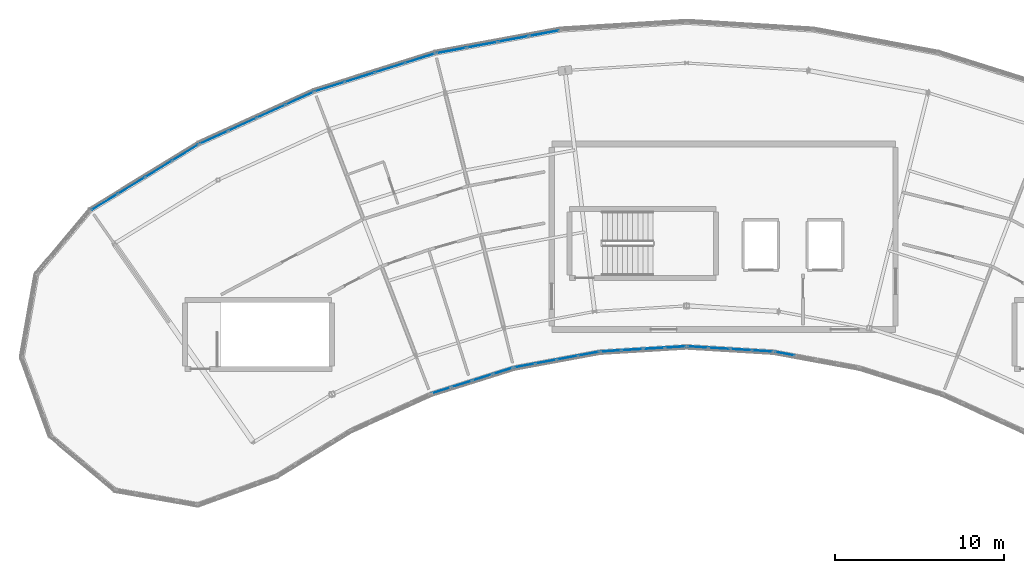
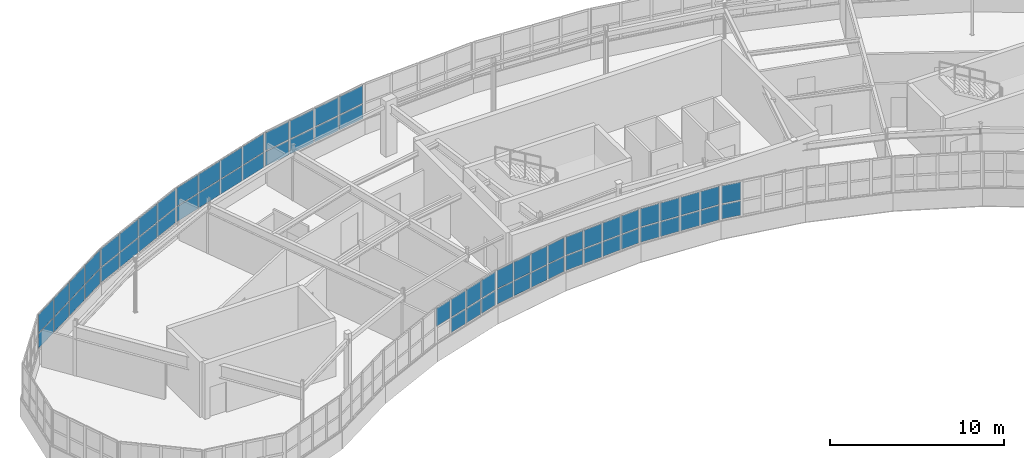
# One storey, part 42 of 60: 65 plates, 9 elements without a shape of their own.
"""IFC4 building model written with IfcOpenShell, lengths in metres."""

from ifc_helpers import new_model, si_unit, direction, frame, origin, origin_2d, place, context, subcontext, project, spatial, rectangle, extrude, material, layer, layer_set, type_object, element, aggregate, save


model = new_model("IFC4")

# Units and contexts
model_context = context("Model", 3, precision=1e-05, world=origin(), true_north=direction((0.0, 1.0)))
body_context = subcontext(model_context, "Body", "Model", "MODEL_VIEW")
ifc_project = project(units=[si_unit("LENGTHUNIT", "METRE"), si_unit("AREAUNIT", "SQUARE_METRE"), si_unit("VOLUMEUNIT", "CUBIC_METRE"), si_unit("PLANEANGLEUNIT", "RADIAN"), si_unit("MASSUNIT", "GRAM", prefix="KILO")], contexts=[model_context])

# Site, building, storey
site_placement = place(None, origin())
site = spatial("IfcSite", under=ifc_project, at=site_placement, CompositionType="ELEMENT")
building_placement = place(site_placement, origin())
building = spatial("IfcBuilding", under=site, at=building_placement, Name="Tarnwether General Hospital", CompositionType="ELEMENT")
storey_placement = place(building_placement, frame((0.0, 0.0, 26.10009765625)))
storey = spatial("IfcBuildingStorey", under=building, at=storey_placement, Name="L06", CompositionType="ELEMENT", Elevation=26.10009765625)

# Curtain wall, plates
ifc_material_1 = material(Name="Anodised aluminium", Category="aluminium")
ifc_layer_1 = layer(ifc_material_1, 0.159912109375)
ifc_layer_set_1 = layer_set([ifc_layer_1], Name="Anodised aluminium")
curtain_wall_type_1 = type_object("IfcCurtainWallType", Name="CW-04", PredefinedType="NOTDEFINED", material=ifc_layer_set_1)
curtain_wall_1_placement = place(storey_placement, origin())
curtain_wall_1 = element("IfcCurtainWall", 1, at=curtain_wall_1_placement, inside=storey, type_object=curtain_wall_type_1, Name="Curtain Wall CWG-L06-817_1041-0104", PredefinedType="NOTDEFINED")
ifc_material_2 = material(Name="Double glazed low-E glass", Category="glass")
ifc_layer_2 = layer(ifc_material_2, 0.028076171875)
ifc_layer_set_2 = layer_set([ifc_layer_2], Name="Double glazed low-E glass")
plate_type_1 = type_object("IfcPlateType", Name="PT-CWP1", PredefinedType="CURTAIN_PANEL", material=ifc_layer_set_2)
plate_1_placement = place(storey_placement, frame((81.106689453125, 103.9404296875, 1.1298828125), z_axis=(0.0, 0.0, 1.0), x_axis=(-0.953713927508, -0.30071538783, 0.0)))
plate_1 = element("IfcPlate", 2, at=plate_1_placement, type_object=plate_type_1, Name="CW-04 panel 1.1", PredefinedType="CURTAIN_PANEL", context=body_context, shape_type="SweptSolid", body=[
    extrude(rectangle(XDim=1.17431640625, YDim=0.028076171875, at=origin_2d()), origin(), (0.0, 0.0, 1.0), 1.002685546875),
])
plate_2_placement = place(storey_placement, frame((81.106689453125, 103.9404296875, 2.212890625), z_axis=(0.0, 0.0, 1.0), x_axis=(-0.953713927508, -0.30071538783, 0.0)))
plate_2 = element("IfcPlate", 3, at=plate_2_placement, type_object=plate_type_1, Name="CW-04 panel 1.2", PredefinedType="CURTAIN_PANEL", context=body_context, shape_type="SweptSolid", body=[
    extrude(rectangle(XDim=1.17431640625, YDim=0.028076171875, at=origin_2d()), origin(), (0.0, 0.0, 1.0), 1.252197265625),
])
plate_3_placement = place(storey_placement, frame((79.891357421875, 103.55712890625, 1.1298828125), z_axis=(0.0, 0.0, 1.0), x_axis=(-0.953713927508, -0.30071538783, 0.0)))
plate_3 = element("IfcPlate", 4, at=plate_3_placement, type_object=plate_type_1, Name="CW-04 panel 2.1", PredefinedType="CURTAIN_PANEL", context=body_context, shape_type="SweptSolid", body=[
    extrude(rectangle(XDim=1.21435546875, YDim=0.028076171875, at=origin_2d()), origin(), (0.0, 0.0, 1.0), 1.002685546875),
])
plate_4_placement = place(storey_placement, frame((79.891357421875, 103.55712890625, 2.212890625), z_axis=(0.0, 0.0, 1.0), x_axis=(-0.953713927508, -0.30071538783, 0.0)))
plate_4 = element("IfcPlate", 5, at=plate_4_placement, type_object=plate_type_1, Name="CW-04 panel 2.2", PredefinedType="CURTAIN_PANEL", context=body_context, shape_type="SweptSolid", body=[
    extrude(rectangle(XDim=1.21435546875, YDim=0.028076171875, at=origin_2d()), origin(), (0.0, 0.0, 1.0), 1.252197265625),
])
plate_5_placement = place(storey_placement, frame((78.65673828125, 103.16796875, 1.1298828125), z_axis=(0.0, 0.0, 1.0), x_axis=(-0.953713927508, -0.30071538783, 0.0)))
plate_5 = element("IfcPlate", 6, at=plate_5_placement, type_object=plate_type_1, Name="CW-04 panel 3.1", PredefinedType="CURTAIN_PANEL", context=body_context, shape_type="SweptSolid", body=[
    extrude(rectangle(XDim=1.21435546875, YDim=0.028076171875, at=origin_2d()), origin(), (0.0, 0.0, 1.0), 1.002685546875),
])
plate_6_placement = place(storey_placement, frame((78.65673828125, 103.16796875, 2.212890625), z_axis=(0.0, 0.0, 1.0), x_axis=(-0.953713927508, -0.30071538783, 0.0)))
plate_6 = element("IfcPlate", 7, at=plate_6_placement, type_object=plate_type_1, Name="CW-04 panel 3.2", PredefinedType="CURTAIN_PANEL", context=body_context, shape_type="SweptSolid", body=[
    extrude(rectangle(XDim=1.21435546875, YDim=0.028076171875, at=origin_2d()), origin(), (0.0, 0.0, 1.0), 1.252197265625),
])
plate_7_placement = place(storey_placement, frame((77.44140625, 102.78466796875, 2.212890625), z_axis=(0.0, 0.0, 1.0), x_axis=(-0.953713927508, -0.30071538783, 0.0)))
plate_7 = element("IfcPlate", 8, at=plate_7_placement, type_object=plate_type_1, Name="CW-04 panel 4.2", PredefinedType="CURTAIN_PANEL", context=body_context, shape_type="SweptSolid", body=[
    extrude(rectangle(XDim=1.17431640625, YDim=0.028076171875, at=origin_2d()), origin(), (0.0, 0.0, 1.0), 1.252197265625),
])
aggregate(curtain_wall_1, [plate_1, plate_2, plate_3, plate_4, plate_5, plate_6, plate_7])

curtain_wall_2_placement = place(storey_placement, origin())
curtain_wall_2 = element("IfcCurtainWall", 9, at=curtain_wall_2_placement, inside=storey, type_object=curtain_wall_type_1, Name="Curtain Wall CWG-L06-868_1051-0105", PredefinedType="NOTDEFINED")
plate_8_placement = place(storey_placement, frame((86.181884765625, 104.96337890625, 1.10986328125), z_axis=(0.0, 0.0, 1.0), x_axis=(-0.983267910924, -0.182165351666, 0.0)))
plate_8 = element("IfcPlate", 10, at=plate_8_placement, type_object=plate_type_1, Name="CW-04 panel 1.1", PredefinedType="CURTAIN_PANEL", context=body_context, shape_type="SweptSolid", body=[
    extrude(rectangle(XDim=1.2041015625, YDim=0.028076171875, at=origin_2d()), origin(), (0.0, 0.0, 1.0), 1.03271484375),
])
plate_9_placement = place(storey_placement, frame((86.181884765625, 104.96337890625, 2.20263671875), z_axis=(0.0, 0.0, 1.0), x_axis=(-0.983267910924, -0.182165351666, 0.0)))
plate_9 = element("IfcPlate", 11, at=plate_9_placement, type_object=plate_type_1, Name="CW-04 panel 1.2", PredefinedType="CURTAIN_PANEL", context=body_context, shape_type="SweptSolid", body=[
    extrude(rectangle(XDim=1.2041015625, YDim=0.028076171875, at=origin_2d()), origin(), (0.0, 0.0, 1.0), 1.2822265625),
])
plate_10_placement = place(storey_placement, frame((84.92431640625, 104.73046875, 1.10986328125), z_axis=(0.0, 0.0, 1.0), x_axis=(-0.983267910924, -0.182165351666, 0.0)))
plate_10 = element("IfcPlate", 12, at=plate_10_placement, type_object=plate_type_1, Name="CW-04 panel 2.1", PredefinedType="CURTAIN_PANEL", context=body_context, shape_type="SweptSolid", body=[
    extrude(rectangle(XDim=1.234130859375, YDim=0.028076171875, at=origin_2d()), origin(), (0.0, 0.0, 1.0), 1.03271484375),
])
plate_11_placement = place(storey_placement, frame((84.92431640625, 104.73046875, 2.20263671875), z_axis=(0.0, 0.0, 1.0), x_axis=(-0.983267910924, -0.182165351666, 0.0)))
plate_11 = element("IfcPlate", 13, at=plate_11_placement, type_object=plate_type_1, Name="CW-04 panel 2.2", PredefinedType="CURTAIN_PANEL", context=body_context, shape_type="SweptSolid", body=[
    extrude(rectangle(XDim=1.234130859375, YDim=0.028076171875, at=origin_2d()), origin(), (0.0, 0.0, 1.0), 1.2822265625),
])
plate_12_placement = place(storey_placement, frame((83.65185546875, 104.49462890625, 1.10986328125), z_axis=(0.0, 0.0, 1.0), x_axis=(-0.983267910924, -0.182165351666, 0.0)))
plate_12 = element("IfcPlate", 14, at=plate_12_placement, type_object=plate_type_1, Name="CW-04 panel 3.1", PredefinedType="CURTAIN_PANEL", context=body_context, shape_type="SweptSolid", body=[
    extrude(rectangle(XDim=1.234130859375, YDim=0.028076171875, at=origin_2d()), origin(), (0.0, 0.0, 1.0), 1.03271484375),
])
plate_13_placement = place(storey_placement, frame((83.65185546875, 104.49462890625, 2.20263671875), z_axis=(0.0, 0.0, 1.0), x_axis=(-0.983267910924, -0.182165351666, 0.0)))
plate_13 = element("IfcPlate", 15, at=plate_13_placement, type_object=plate_type_1, Name="CW-04 panel 3.2", PredefinedType="CURTAIN_PANEL", context=body_context, shape_type="SweptSolid", body=[
    extrude(rectangle(XDim=1.234130859375, YDim=0.028076171875, at=origin_2d()), origin(), (0.0, 0.0, 1.0), 1.2822265625),
])
plate_14_placement = place(storey_placement, frame((82.39404296875, 104.26171875, 1.10986328125), z_axis=(0.0, 0.0, 1.0), x_axis=(-0.983267910924, -0.182165351666, 0.0)))
plate_14 = element("IfcPlate", 16, at=plate_14_placement, type_object=plate_type_1, Name="CW-04 panel 4.1", PredefinedType="CURTAIN_PANEL", context=body_context, shape_type="SweptSolid", body=[
    extrude(rectangle(XDim=1.2041015625, YDim=0.028076171875, at=origin_2d()), origin(), (0.0, 0.0, 1.0), 1.03271484375),
])
plate_15_placement = place(storey_placement, frame((82.39404296875, 104.26171875, 2.20263671875), z_axis=(0.0, 0.0, 1.0), x_axis=(-0.983267910924, -0.182165351666, 0.0)))
plate_15 = element("IfcPlate", 17, at=plate_15_placement, type_object=plate_type_1, Name="CW-04 panel 4.2", PredefinedType="CURTAIN_PANEL", context=body_context, shape_type="SweptSolid", body=[
    extrude(rectangle(XDim=1.2041015625, YDim=0.028076171875, at=origin_2d()), origin(), (0.0, 0.0, 1.0), 1.2822265625),
])
aggregate(curtain_wall_2, [plate_8, plate_9, plate_10, plate_11, plate_12, plate_13, plate_14, plate_15])

curtain_wall_3_placement = place(storey_placement, origin())
curtain_wall_3 = element("IfcCurtainWall", 18, at=curtain_wall_3_placement, inside=storey, type_object=curtain_wall_type_1, Name="Curtain Wall CWG-L06-972_1051-0107", PredefinedType="NOTDEFINED")
plate_16_placement = place(storey_placement, frame((96.5048828125, 105.12451171875, 1.11474609375), z_axis=(0.0, 0.0, 1.0), x_axis=(-0.998135119267, 0.06104329354, 0.0)))
plate_16 = element("IfcPlate", 19, at=plate_16_placement, type_object=plate_type_1, Name="CW-04 panel 1.1", PredefinedType="CURTAIN_PANEL", context=body_context, shape_type="SweptSolid", body=[
    extrude(rectangle(XDim=1.19677734375, YDim=0.028076171875, at=origin_2d()), origin(), (0.0, 0.0, 1.0), 1.025390625),
])
plate_17_placement = place(storey_placement, frame((96.5048828125, 105.12451171875, 2.205078125), z_axis=(0.0, 0.0, 1.0), x_axis=(-0.998135119267, 0.06104329354, 0.0)))
plate_17 = element("IfcPlate", 20, at=plate_17_placement, type_object=plate_type_1, Name="CW-04 panel 1.2", PredefinedType="CURTAIN_PANEL", context=body_context, shape_type="SweptSolid", body=[
    extrude(rectangle(XDim=1.19677734375, YDim=0.028076171875, at=origin_2d()), origin(), (0.0, 0.0, 1.0), 1.274658203125),
])
plate_18_placement = place(storey_placement, frame((95.2294921875, 105.202392578125, 1.11474609375), z_axis=(0.0, 0.0, 1.0), x_axis=(-0.998135119267, 0.06104329354, 0.0)))
plate_18 = element("IfcPlate", 21, at=plate_18_placement, type_object=plate_type_1, Name="CW-04 panel 2.1", PredefinedType="CURTAIN_PANEL", context=body_context, shape_type="SweptSolid", body=[
    extrude(rectangle(XDim=1.229248046875, YDim=0.028076171875, at=origin_2d()), origin(), (0.0, 0.0, 1.0), 1.025390625),
])
plate_19_placement = place(storey_placement, frame((95.2294921875, 105.202392578125, 2.205078125), z_axis=(0.0, 0.0, 1.0), x_axis=(-0.998135119267, 0.06104329354, 0.0)))
plate_19 = element("IfcPlate", 22, at=plate_19_placement, type_object=plate_type_1, Name="CW-04 panel 2.2", PredefinedType="CURTAIN_PANEL", context=body_context, shape_type="SweptSolid", body=[
    extrude(rectangle(XDim=1.229248046875, YDim=0.028076171875, at=origin_2d()), origin(), (0.0, 0.0, 1.0), 1.274658203125),
])
plate_20_placement = place(storey_placement, frame((93.937744140625, 105.281494140625, 1.11474609375), z_axis=(0.0, 0.0, 1.0), x_axis=(-0.998135119267, 0.06104329354, 0.0)))
plate_20 = element("IfcPlate", 23, at=plate_20_placement, type_object=plate_type_1, Name="CW-04 panel 3.1", PredefinedType="CURTAIN_PANEL", context=body_context, shape_type="SweptSolid", body=[
    extrude(rectangle(XDim=1.229248046875, YDim=0.028076171875, at=origin_2d()), origin(), (0.0, 0.0, 1.0), 1.025390625),
])
plate_21_placement = place(storey_placement, frame((93.937744140625, 105.281494140625, 2.205078125), z_axis=(0.0, 0.0, 1.0), x_axis=(-0.998135119267, 0.06104329354, 0.0)))
plate_21 = element("IfcPlate", 24, at=plate_21_placement, type_object=plate_type_1, Name="CW-04 panel 3.2", PredefinedType="CURTAIN_PANEL", context=body_context, shape_type="SweptSolid", body=[
    extrude(rectangle(XDim=1.229248046875, YDim=0.028076171875, at=origin_2d()), origin(), (0.0, 0.0, 1.0), 1.274658203125),
])
plate_22_placement = place(storey_placement, frame((92.662109375, 105.359619140625, 1.11474609375), z_axis=(0.0, 0.0, 1.0), x_axis=(-0.998135119267, 0.06104329354, 0.0)))
plate_22 = element("IfcPlate", 25, at=plate_22_placement, type_object=plate_type_1, Name="CW-04 panel 4.1", PredefinedType="CURTAIN_PANEL", context=body_context, shape_type="SweptSolid", body=[
    extrude(rectangle(XDim=1.19677734375, YDim=0.028076171875, at=origin_2d()), origin(), (0.0, 0.0, 1.0), 1.025390625),
])
plate_23_placement = place(storey_placement, frame((92.662109375, 105.359619140625, 2.205078125), z_axis=(0.0, 0.0, 1.0), x_axis=(-0.998135119267, 0.06104329354, 0.0)))
plate_23 = element("IfcPlate", 26, at=plate_23_placement, type_object=plate_type_1, Name="CW-04 panel 4.2", PredefinedType="CURTAIN_PANEL", context=body_context, shape_type="SweptSolid", body=[
    extrude(rectangle(XDim=1.19677734375, YDim=0.028076171875, at=origin_2d()), origin(), (0.0, 0.0, 1.0), 1.274658203125),
])
aggregate(curtain_wall_3, [plate_16, plate_17, plate_18, plate_19, plate_20, plate_21, plate_22, plate_23])

curtain_wall_4_placement = place(storey_placement, origin())
curtain_wall_4 = element("IfcCurtainWall", 27, at=curtain_wall_4_placement, inside=storey, type_object=curtain_wall_type_1, Name="Curtain Wall CWG-L06-1023_1041-0108", PredefinedType="NOTDEFINED")
plate_24_placement = place(storey_placement, frame((97.822998046875, 104.96240234375, 1.1298828125), z_axis=(0.0, 0.0, 1.0), x_axis=(-0.983267910924, 0.182165351666, 0.0)))
plate_24 = element("IfcPlate", 28, at=plate_24_placement, type_object=plate_type_1, Name="CW-04 panel 4.1", PredefinedType="CURTAIN_PANEL", context=body_context, shape_type="SweptSolid", body=[
    extrude(rectangle(XDim=1.174072265625, YDim=0.028076171875, at=origin_2d()), origin(), (0.0, 0.0, 1.0), 1.002685546875),
])
plate_25_placement = place(storey_placement, frame((97.822998046875, 104.96240234375, 2.212890625), z_axis=(0.0, 0.0, 1.0), x_axis=(-0.983267910924, 0.182165351666, 0.0)))
plate_25 = element("IfcPlate", 29, at=plate_25_placement, type_object=plate_type_1, Name="CW-04 panel 4.2", PredefinedType="CURTAIN_PANEL", context=body_context, shape_type="SweptSolid", body=[
    extrude(rectangle(XDim=1.174072265625, YDim=0.028076171875, at=origin_2d()), origin(), (0.0, 0.0, 1.0), 1.252197265625),
])
aggregate(curtain_wall_4, [plate_24, plate_25])

ifc_material_3 = material(Name="Anodised aluminium", Category="aluminium")
ifc_layer_3 = layer(ifc_material_3, 0.179931640625)
ifc_layer_set_3 = layer_set([ifc_layer_3], Name="Anodised aluminium")
curtain_wall_type_2 = type_object("IfcCurtainWallType", Name="CW-06", PredefinedType="NOTDEFINED", material=ifc_layer_set_3)
curtain_wall_5_placement = place(storey_placement, origin())
curtain_wall_5 = element("IfcCurtainWall", 30, at=curtain_wall_5_placement, inside=storey, type_object=curtain_wall_type_2, Name="Curtain Wall CWG-L06-699_1205-0125", PredefinedType="NOTDEFINED")
plate_26_placement = place(storey_placement, frame((70.8359375, 120.796142578125, 1.10986328125), z_axis=(0.0, 0.0, 1.0), x_axis=(0.953741284032, 0.300628613299, 0.0)))
plate_26 = element("IfcPlate", 31, at=plate_26_placement, type_object=plate_type_1, Name="CW-06 panel 1.1", PredefinedType="CURTAIN_PANEL", context=body_context, shape_type="SweptSolid", body=[
    extrude(rectangle(XDim=1.790283203125, YDim=0.028076171875, at=origin_2d()), origin(), (0.0, 0.0, 1.0), 1.03271484375),
])
plate_27_placement = place(storey_placement, frame((70.8359375, 120.796142578125, 2.20263671875), z_axis=(0.0, 0.0, 1.0), x_axis=(0.953741284032, 0.300628613299, 0.0)))
plate_27 = element("IfcPlate", 32, at=plate_27_placement, type_object=plate_type_1, Name="CW-06 panel 1.2", PredefinedType="CURTAIN_PANEL", context=body_context, shape_type="SweptSolid", body=[
    extrude(rectangle(XDim=1.790283203125, YDim=0.028076171875, at=origin_2d()), origin(), (0.0, 0.0, 1.0), 1.2822265625),
])
plate_28_placement = place(storey_placement, frame((72.614990234375, 121.35693359375, 1.10986328125), z_axis=(0.0, 0.0, 1.0), x_axis=(0.953741284032, 0.300628613299, 0.0)))
plate_28 = element("IfcPlate", 33, at=plate_28_placement, type_object=plate_type_1, Name="CW-06 panel 2.1", PredefinedType="CURTAIN_PANEL", context=body_context, shape_type="SweptSolid", body=[
    extrude(rectangle(XDim=1.8203125, YDim=0.028076171875, at=origin_2d()), origin(), (0.0, 0.0, 1.0), 1.03271484375),
])
plate_29_placement = place(storey_placement, frame((72.614990234375, 121.35693359375, 2.20263671875), z_axis=(0.0, 0.0, 1.0), x_axis=(0.953741284032, 0.300628613299, 0.0)))
plate_29 = element("IfcPlate", 34, at=plate_29_placement, type_object=plate_type_1, Name="CW-06 panel 2.2", PredefinedType="CURTAIN_PANEL", context=body_context, shape_type="SweptSolid", body=[
    extrude(rectangle(XDim=1.8203125, YDim=0.028076171875, at=origin_2d()), origin(), (0.0, 0.0, 1.0), 1.2822265625),
])
plate_30_placement = place(storey_placement, frame((74.408203125, 121.922119140625, 1.10986328125), z_axis=(0.0, 0.0, 1.0), x_axis=(0.953741284032, 0.300628613299, 0.0)))
plate_30 = element("IfcPlate", 35, at=plate_30_placement, type_object=plate_type_1, Name="CW-06 panel 3.1", PredefinedType="CURTAIN_PANEL", context=body_context, shape_type="SweptSolid", body=[
    extrude(rectangle(XDim=1.8203125, YDim=0.028076171875, at=origin_2d()), origin(), (0.0, 0.0, 1.0), 1.03271484375),
])
plate_31_placement = place(storey_placement, frame((74.408203125, 121.922119140625, 2.20263671875), z_axis=(0.0, 0.0, 1.0), x_axis=(0.953741284032, 0.300628613299, 0.0)))
plate_31 = element("IfcPlate", 36, at=plate_31_placement, type_object=plate_type_1, Name="CW-06 panel 3.2", PredefinedType="CURTAIN_PANEL", context=body_context, shape_type="SweptSolid", body=[
    extrude(rectangle(XDim=1.8203125, YDim=0.028076171875, at=origin_2d()), origin(), (0.0, 0.0, 1.0), 1.2822265625),
])
plate_32_placement = place(storey_placement, frame((76.18701171875, 122.48291015625, 1.10986328125), z_axis=(0.0, 0.0, 1.0), x_axis=(0.953741284032, 0.300628613299, 0.0)))
plate_32 = element("IfcPlate", 37, at=plate_32_placement, type_object=plate_type_1, Name="CW-06 panel 4.1", PredefinedType="CURTAIN_PANEL", context=body_context, shape_type="SweptSolid", body=[
    extrude(rectangle(XDim=1.790283203125, YDim=0.028076171875, at=origin_2d()), origin(), (0.0, 0.0, 1.0), 1.03271484375),
])
plate_33_placement = place(storey_placement, frame((76.18701171875, 122.48291015625, 2.20263671875), z_axis=(0.0, 0.0, 1.0), x_axis=(0.953741284032, 0.300628613299, 0.0)))
plate_33 = element("IfcPlate", 38, at=plate_33_placement, type_object=plate_type_1, Name="CW-06 panel 4.2", PredefinedType="CURTAIN_PANEL", context=body_context, shape_type="SweptSolid", body=[
    extrude(rectangle(XDim=1.790283203125, YDim=0.028076171875, at=origin_2d()), origin(), (0.0, 0.0, 1.0), 1.2822265625),
])
aggregate(curtain_wall_5, [plate_26, plate_27, plate_28, plate_29, plate_30, plate_31, plate_32, plate_33])

curtain_wall_6_placement = place(storey_placement, origin())
curtain_wall_6 = element("IfcCurtainWall", 39, at=curtain_wall_6_placement, inside=storey, type_object=curtain_wall_type_2, Name="Curtain Wall CWG-L06-631_1174-0126", PredefinedType="NOTDEFINED")
plate_34_placement = place(storey_placement, frame((63.952392578125, 117.787109375, 1.1201171875), z_axis=(0.0, 0.0, 1.0), x_axis=(0.909960793886, 0.414694289316, 0.0)))
plate_34 = element("IfcPlate", 40, at=plate_34_placement, type_object=plate_type_1, Name="CW-06 panel 1.1", PredefinedType="CURTAIN_PANEL", context=body_context, shape_type="SweptSolid", body=[
    extrude(rectangle(XDim=1.775390625, YDim=0.028076171875, at=origin_2d()), origin(), (0.0, 0.0, 1.0), 1.017822265625),
])
plate_35_placement = place(storey_placement, frame((63.952392578125, 117.787109375, 2.207763671875), z_axis=(0.0, 0.0, 1.0), x_axis=(0.909960793886, 0.414694289316, 0.0)))
plate_35 = element("IfcPlate", 41, at=plate_35_placement, type_object=plate_type_1, Name="CW-06 panel 1.2", PredefinedType="CURTAIN_PANEL", context=body_context, shape_type="SweptSolid", body=[
    extrude(rectangle(XDim=1.775390625, YDim=0.028076171875, at=origin_2d()), origin(), (0.0, 0.0, 1.0), 1.26708984375),
])
plate_36_placement = place(storey_placement, frame((65.6474609375, 118.5595703125, 1.1201171875), z_axis=(0.0, 0.0, 1.0), x_axis=(0.909960793886, 0.414694289316, 0.0)))
plate_36 = element("IfcPlate", 42, at=plate_36_placement, type_object=plate_type_1, Name="CW-06 panel 2.1", PredefinedType="CURTAIN_PANEL", context=body_context, shape_type="SweptSolid", body=[
    extrude(rectangle(XDim=1.810302734375, YDim=0.028076171875, at=origin_2d()), origin(), (0.0, 0.0, 1.0), 1.017822265625),
])
plate_37_placement = place(storey_placement, frame((65.6474609375, 118.5595703125, 2.207763671875), z_axis=(0.0, 0.0, 1.0), x_axis=(0.909960793886, 0.414694289316, 0.0)))
plate_37 = element("IfcPlate", 43, at=plate_37_placement, type_object=plate_type_1, Name="CW-06 panel 2.2", PredefinedType="CURTAIN_PANEL", context=body_context, shape_type="SweptSolid", body=[
    extrude(rectangle(XDim=1.810302734375, YDim=0.028076171875, at=origin_2d()), origin(), (0.0, 0.0, 1.0), 1.26708984375),
])
plate_38_placement = place(storey_placement, frame((67.3583984375, 119.33935546875, 1.1201171875), z_axis=(0.0, 0.0, 1.0), x_axis=(0.909960793886, 0.414694289316, 0.0)))
plate_38 = element("IfcPlate", 44, at=plate_38_placement, type_object=plate_type_1, Name="CW-06 panel 3.1", PredefinedType="CURTAIN_PANEL", context=body_context, shape_type="SweptSolid", body=[
    extrude(rectangle(XDim=1.810302734375, YDim=0.028076171875, at=origin_2d()), origin(), (0.0, 0.0, 1.0), 1.017822265625),
])
plate_39_placement = place(storey_placement, frame((67.3583984375, 119.33935546875, 2.207763671875), z_axis=(0.0, 0.0, 1.0), x_axis=(0.909960793886, 0.414694289316, 0.0)))
plate_39 = element("IfcPlate", 45, at=plate_39_placement, type_object=plate_type_1, Name="CW-06 panel 3.2", PredefinedType="CURTAIN_PANEL", context=body_context, shape_type="SweptSolid", body=[
    extrude(rectangle(XDim=1.810302734375, YDim=0.028076171875, at=origin_2d()), origin(), (0.0, 0.0, 1.0), 1.26708984375),
])
plate_40_placement = place(storey_placement, frame((69.053466796875, 120.11181640625, 1.1201171875), z_axis=(0.0, 0.0, 1.0), x_axis=(0.909960793886, 0.414694289316, 0.0)))
plate_40 = element("IfcPlate", 46, at=plate_40_placement, type_object=plate_type_1, Name="CW-06 panel 4.1", PredefinedType="CURTAIN_PANEL", context=body_context, shape_type="SweptSolid", body=[
    extrude(rectangle(XDim=1.775390625, YDim=0.028076171875, at=origin_2d()), origin(), (0.0, 0.0, 1.0), 1.017822265625),
])
plate_41_placement = place(storey_placement, frame((69.053466796875, 120.11181640625, 2.207763671875), z_axis=(0.0, 0.0, 1.0), x_axis=(0.909960793886, 0.414694289316, 0.0)))
plate_41 = element("IfcPlate", 47, at=plate_41_placement, type_object=plate_type_1, Name="CW-06 panel 4.2", PredefinedType="CURTAIN_PANEL", context=body_context, shape_type="SweptSolid", body=[
    extrude(rectangle(XDim=1.775390625, YDim=0.028076171875, at=origin_2d()), origin(), (0.0, 0.0, 1.0), 1.26708984375),
])
aggregate(curtain_wall_6, [plate_34, plate_35, plate_36, plate_37, plate_38, plate_39, plate_40, plate_41])

curtain_wall_7_placement = place(storey_placement, origin())
curtain_wall_7 = element("IfcCurtainWall", 48, at=curtain_wall_7_placement, inside=storey, type_object=curtain_wall_type_1, Name="Curtain Wall CWG-L06-920_1054-0106", PredefinedType="NOTDEFINED")
ifc_material_4 = material(Name="Double glazed low-E glass", Category="glass")
ifc_layer_4 = layer(ifc_material_4, 0.035888671875)
ifc_layer_set_4 = layer_set([ifc_layer_4], Name="Double glazed low-E glass")
plate_type_2 = type_object("IfcPlateType", Name="PT-CWP2", PredefinedType="CURTAIN_PANEL", material=ifc_layer_set_4)
plate_42_placement = place(storey_placement, frame((91.336669921875, 105.359375, 1.1201171875), z_axis=(0.0, 0.0, 1.0), x_axis=(-0.998135119267, -0.06104329354, 0.0)))
plate_42 = element("IfcPlate", 49, at=plate_42_placement, type_object=plate_type_2, Name="CW-04 panel 1.1", PredefinedType="CURTAIN_PANEL", context=body_context, shape_type="SweptSolid", body=[
    extrude(rectangle(XDim=1.189208984375, YDim=0.035888671875, at=origin_2d()), origin(), (0.0, 0.0, 1.0), 1.017822265625),
])
plate_43_placement = place(storey_placement, frame((91.336669921875, 105.359375, 2.207763671875), z_axis=(0.0, 0.0, 1.0), x_axis=(-0.998135119267, -0.06104329354, 0.0)))
plate_43 = element("IfcPlate", 50, at=plate_43_placement, type_object=plate_type_2, Name="CW-04 panel 1.2", PredefinedType="CURTAIN_PANEL", context=body_context, shape_type="SweptSolid", body=[
    extrude(rectangle(XDim=1.189208984375, YDim=0.035888671875, at=origin_2d()), origin(), (0.0, 0.0, 1.0), 1.26708984375),
])
plate_44_placement = place(storey_placement, frame((90.062255859375, 105.281494140625, 1.1201171875), z_axis=(0.0, 0.0, 1.0), x_axis=(-0.998135119267, -0.06104329354, 0.0)))
plate_44 = element("IfcPlate", 51, at=plate_44_placement, type_object=plate_type_2, Name="CW-04 panel 2.1", PredefinedType="CURTAIN_PANEL", context=body_context, shape_type="SweptSolid", body=[
    extrude(rectangle(XDim=1.22412109375, YDim=0.035888671875, at=origin_2d()), origin(), (0.0, 0.0, 1.0), 1.017822265625),
])
plate_45_placement = place(storey_placement, frame((90.062255859375, 105.281494140625, 2.207763671875), z_axis=(0.0, 0.0, 1.0), x_axis=(-0.998135119267, -0.06104329354, 0.0)))
plate_45 = element("IfcPlate", 52, at=plate_45_placement, type_object=plate_type_2, Name="CW-04 panel 2.2", PredefinedType="CURTAIN_PANEL", context=body_context, shape_type="SweptSolid", body=[
    extrude(rectangle(XDim=1.22412109375, YDim=0.035888671875, at=origin_2d()), origin(), (0.0, 0.0, 1.0), 1.26708984375),
])
plate_46_placement = place(storey_placement, frame((88.7705078125, 105.202392578125, 1.1201171875), z_axis=(0.0, 0.0, 1.0), x_axis=(-0.998135119267, -0.06104329354, 0.0)))
plate_46 = element("IfcPlate", 53, at=plate_46_placement, type_object=plate_type_2, Name="CW-04 panel 3.1", PredefinedType="CURTAIN_PANEL", context=body_context, shape_type="SweptSolid", body=[
    extrude(rectangle(XDim=1.22412109375, YDim=0.035888671875, at=origin_2d()), origin(), (0.0, 0.0, 1.0), 1.017822265625),
])
plate_47_placement = place(storey_placement, frame((88.7705078125, 105.202392578125, 2.207763671875), z_axis=(0.0, 0.0, 1.0), x_axis=(-0.998135119267, -0.06104329354, 0.0)))
plate_47 = element("IfcPlate", 54, at=plate_47_placement, type_object=plate_type_2, Name="CW-04 panel 3.2", PredefinedType="CURTAIN_PANEL", context=body_context, shape_type="SweptSolid", body=[
    extrude(rectangle(XDim=1.22412109375, YDim=0.035888671875, at=origin_2d()), origin(), (0.0, 0.0, 1.0), 1.26708984375),
])
plate_48_placement = place(storey_placement, frame((87.496337890625, 105.12451171875, 1.1201171875), z_axis=(0.0, 0.0, 1.0), x_axis=(-0.998135119267, -0.06104329354, 0.0)))
plate_48 = element("IfcPlate", 55, at=plate_48_placement, type_object=plate_type_2, Name="CW-04 panel 4.1", PredefinedType="CURTAIN_PANEL", context=body_context, shape_type="SweptSolid", body=[
    extrude(rectangle(XDim=1.189208984375, YDim=0.035888671875, at=origin_2d()), origin(), (0.0, 0.0, 1.0), 1.017822265625),
])
plate_49_placement = place(storey_placement, frame((87.496337890625, 105.12451171875, 2.207763671875), z_axis=(0.0, 0.0, 1.0), x_axis=(-0.998135119267, -0.06104329354, 0.0)))
plate_49 = element("IfcPlate", 56, at=plate_49_placement, type_object=plate_type_2, Name="CW-04 panel 4.2", PredefinedType="CURTAIN_PANEL", context=body_context, shape_type="SweptSolid", body=[
    extrude(rectangle(XDim=1.189208984375, YDim=0.035888671875, at=origin_2d()), origin(), (0.0, 0.0, 1.0), 1.26708984375),
])
aggregate(curtain_wall_7, [plate_42, plate_43, plate_44, plate_45, plate_46, plate_47, plate_48, plate_49])

curtain_wall_8_placement = place(storey_placement, origin())
curtain_wall_8 = element("IfcCurtainWall", 57, at=curtain_wall_8_placement, inside=storey, type_object=curtain_wall_type_2, Name="Curtain Wall CWG-L06-771_1228-0124", PredefinedType="NOTDEFINED")
plate_50_placement = place(storey_placement, frame((78.0419921875, 122.945068359375, 1.1298828125), z_axis=(0.0, 0.0, 1.0), x_axis=(0.983244953132, 0.182289226614, 0.0)))
plate_50 = element("IfcPlate", 58, at=plate_50_placement, type_object=plate_type_2, Name="CW-06 panel 1.1", PredefinedType="CURTAIN_PANEL", context=body_context, shape_type="SweptSolid", body=[
    extrude(rectangle(XDim=1.76025390625, YDim=0.035888671875, at=origin_2d()), origin(), (0.0, 0.0, 1.0), 1.002685546875),
])
plate_51_placement = place(storey_placement, frame((78.0419921875, 122.945068359375, 2.212890625), z_axis=(0.0, 0.0, 1.0), x_axis=(0.983244953132, 0.182289226614, 0.0)))
plate_51 = element("IfcPlate", 59, at=plate_51_placement, type_object=plate_type_2, Name="CW-06 panel 1.2", PredefinedType="CURTAIN_PANEL", context=body_context, shape_type="SweptSolid", body=[
    extrude(rectangle(XDim=1.76025390625, YDim=0.035888671875, at=origin_2d()), origin(), (0.0, 0.0, 1.0), 1.252197265625),
])
plate_52_placement = place(storey_placement, frame((79.87109375, 123.2841796875, 1.1298828125), z_axis=(0.0, 0.0, 1.0), x_axis=(0.983244953132, 0.182289226614, 0.0)))
plate_52 = element("IfcPlate", 60, at=plate_52_placement, type_object=plate_type_2, Name="CW-06 panel 2.1", PredefinedType="CURTAIN_PANEL", context=body_context, shape_type="SweptSolid", body=[
    extrude(rectangle(XDim=1.80029296875, YDim=0.035888671875, at=origin_2d()), origin(), (0.0, 0.0, 1.0), 1.002685546875),
])
plate_53_placement = place(storey_placement, frame((79.87109375, 123.2841796875, 2.212890625), z_axis=(0.0, 0.0, 1.0), x_axis=(0.983244953132, 0.182289226614, 0.0)))
plate_53 = element("IfcPlate", 61, at=plate_53_placement, type_object=plate_type_2, Name="CW-06 panel 2.2", PredefinedType="CURTAIN_PANEL", context=body_context, shape_type="SweptSolid", body=[
    extrude(rectangle(XDim=1.80029296875, YDim=0.035888671875, at=origin_2d()), origin(), (0.0, 0.0, 1.0), 1.252197265625),
])
plate_54_placement = place(storey_placement, frame((81.719970703125, 123.626953125, 1.1298828125), z_axis=(0.0, 0.0, 1.0), x_axis=(0.983244953132, 0.182289226614, 0.0)))
plate_54 = element("IfcPlate", 62, at=plate_54_placement, type_object=plate_type_2, Name="CW-06 panel 3.1", PredefinedType="CURTAIN_PANEL", context=body_context, shape_type="SweptSolid", body=[
    extrude(rectangle(XDim=1.80029296875, YDim=0.035888671875, at=origin_2d()), origin(), (0.0, 0.0, 1.0), 1.002685546875),
])
plate_55_placement = place(storey_placement, frame((81.719970703125, 123.626953125, 2.212890625), z_axis=(0.0, 0.0, 1.0), x_axis=(0.983244953132, 0.182289226614, 0.0)))
plate_55 = element("IfcPlate", 63, at=plate_55_placement, type_object=plate_type_2, Name="CW-06 panel 3.2", PredefinedType="CURTAIN_PANEL", context=body_context, shape_type="SweptSolid", body=[
    extrude(rectangle(XDim=1.80029296875, YDim=0.035888671875, at=origin_2d()), origin(), (0.0, 0.0, 1.0), 1.252197265625),
])
plate_56_placement = place(storey_placement, frame((83.549072265625, 123.966064453125, 1.1298828125), z_axis=(0.0, 0.0, 1.0), x_axis=(0.983244953132, 0.182289226614, 0.0)))
plate_56 = element("IfcPlate", 64, at=plate_56_placement, type_object=plate_type_2, Name="CW-06 panel 4.1", PredefinedType="CURTAIN_PANEL", context=body_context, shape_type="SweptSolid", body=[
    extrude(rectangle(XDim=1.76025390625, YDim=0.035888671875, at=origin_2d()), origin(), (0.0, 0.0, 1.0), 1.002685546875),
])
plate_57_placement = place(storey_placement, frame((83.549072265625, 123.966064453125, 2.212890625), z_axis=(0.0, 0.0, 1.0), x_axis=(0.983244953132, 0.182289226614, 0.0)))
plate_57 = element("IfcPlate", 65, at=plate_57_placement, type_object=plate_type_2, Name="CW-06 panel 4.2", PredefinedType="CURTAIN_PANEL", context=body_context, shape_type="SweptSolid", body=[
    extrude(rectangle(XDim=1.76025390625, YDim=0.035888671875, at=origin_2d()), origin(), (0.0, 0.0, 1.0), 1.252197265625),
])
aggregate(curtain_wall_8, [plate_50, plate_51, plate_52, plate_53, plate_54, plate_55, plate_56, plate_57])

curtain_wall_9_placement = place(storey_placement, origin())
curtain_wall_9 = element("IfcCurtainWall", 66, at=curtain_wall_9_placement, inside=storey, type_object=curtain_wall_type_2, Name="Curtain Wall CWG-L06-567_1135-0127", PredefinedType="NOTDEFINED")
plate_58_placement = place(storey_placement, frame((57.4833984375, 113.959716796875, 1.11474609375), z_axis=(0.0, 0.0, 1.0), x_axis=(0.852633734977, 0.522509056361, 0.0)))
plate_58 = element("IfcPlate", 67, at=plate_58_placement, type_object=plate_type_2, Name="CW-06 panel 1.1", PredefinedType="CURTAIN_PANEL", context=body_context, shape_type="SweptSolid", body=[
    extrude(rectangle(XDim=1.782958984375, YDim=0.035888671875, at=origin_2d()), origin(), (0.0, 0.0, 1.0), 1.025390625),
])
plate_59_placement = place(storey_placement, frame((57.4833984375, 113.959716796875, 2.205078125), z_axis=(0.0, 0.0, 1.0), x_axis=(0.852633734977, 0.522509056361, 0.0)))
plate_59 = element("IfcPlate", 68, at=plate_59_placement, type_object=plate_type_2, Name="CW-06 panel 1.2", PredefinedType="CURTAIN_PANEL", context=body_context, shape_type="SweptSolid", body=[
    extrude(rectangle(XDim=1.782958984375, YDim=0.035888671875, at=origin_2d()), origin(), (0.0, 0.0, 1.0), 1.274658203125),
])
plate_60_placement = place(storey_placement, frame((59.07275390625, 114.933837890625, 1.11474609375), z_axis=(0.0, 0.0, 1.0), x_axis=(0.852633734977, 0.522509056361, 0.0)))
plate_60 = element("IfcPlate", 69, at=plate_60_placement, type_object=plate_type_2, Name="CW-06 panel 2.1", PredefinedType="CURTAIN_PANEL", context=body_context, shape_type="SweptSolid", body=[
    extrude(rectangle(XDim=1.8154296875, YDim=0.035888671875, at=origin_2d()), origin(), (0.0, 0.0, 1.0), 1.025390625),
])
plate_61_placement = place(storey_placement, frame((59.07275390625, 114.933837890625, 2.205078125), z_axis=(0.0, 0.0, 1.0), x_axis=(0.852633734977, 0.522509056361, 0.0)))
plate_61 = element("IfcPlate", 70, at=plate_61_placement, type_object=plate_type_2, Name="CW-06 panel 2.2", PredefinedType="CURTAIN_PANEL", context=body_context, shape_type="SweptSolid", body=[
    extrude(rectangle(XDim=1.8154296875, YDim=0.035888671875, at=origin_2d()), origin(), (0.0, 0.0, 1.0), 1.274658203125),
])
plate_62_placement = place(storey_placement, frame((60.676025390625, 115.916259765625, 1.11474609375), z_axis=(0.0, 0.0, 1.0), x_axis=(0.852633734977, 0.522509056361, 0.0)))
plate_62 = element("IfcPlate", 71, at=plate_62_placement, type_object=plate_type_2, Name="CW-06 panel 3.1", PredefinedType="CURTAIN_PANEL", context=body_context, shape_type="SweptSolid", body=[
    extrude(rectangle(XDim=1.8154296875, YDim=0.035888671875, at=origin_2d()), origin(), (0.0, 0.0, 1.0), 1.025390625),
])
plate_63_placement = place(storey_placement, frame((60.676025390625, 115.916259765625, 2.205078125), z_axis=(0.0, 0.0, 1.0), x_axis=(0.852633734977, 0.522509056361, 0.0)))
plate_63 = element("IfcPlate", 72, at=plate_63_placement, type_object=plate_type_2, Name="CW-06 panel 3.2", PredefinedType="CURTAIN_PANEL", context=body_context, shape_type="SweptSolid", body=[
    extrude(rectangle(XDim=1.8154296875, YDim=0.035888671875, at=origin_2d()), origin(), (0.0, 0.0, 1.0), 1.274658203125),
])
plate_64_placement = place(storey_placement, frame((62.265625, 116.890380859375, 1.11474609375), z_axis=(0.0, 0.0, 1.0), x_axis=(0.852633734977, 0.522509056361, 0.0)))
plate_64 = element("IfcPlate", 73, at=plate_64_placement, type_object=plate_type_2, Name="CW-06 panel 4.1", PredefinedType="CURTAIN_PANEL", context=body_context, shape_type="SweptSolid", body=[
    extrude(rectangle(XDim=1.782958984375, YDim=0.035888671875, at=origin_2d()), origin(), (0.0, 0.0, 1.0), 1.025390625),
])
plate_65_placement = place(storey_placement, frame((62.265625, 116.890380859375, 2.205078125), z_axis=(0.0, 0.0, 1.0), x_axis=(0.852633734977, 0.522509056361, 0.0)))
plate_65 = element("IfcPlate", 74, at=plate_65_placement, type_object=plate_type_2, Name="CW-06 panel 4.2", PredefinedType="CURTAIN_PANEL", context=body_context, shape_type="SweptSolid", body=[
    extrude(rectangle(XDim=1.782958984375, YDim=0.035888671875, at=origin_2d()), origin(), (0.0, 0.0, 1.0), 1.274658203125),
])
aggregate(curtain_wall_9, [plate_58, plate_59, plate_60, plate_61, plate_62, plate_63, plate_64, plate_65])

save(model, "model.ifc")
